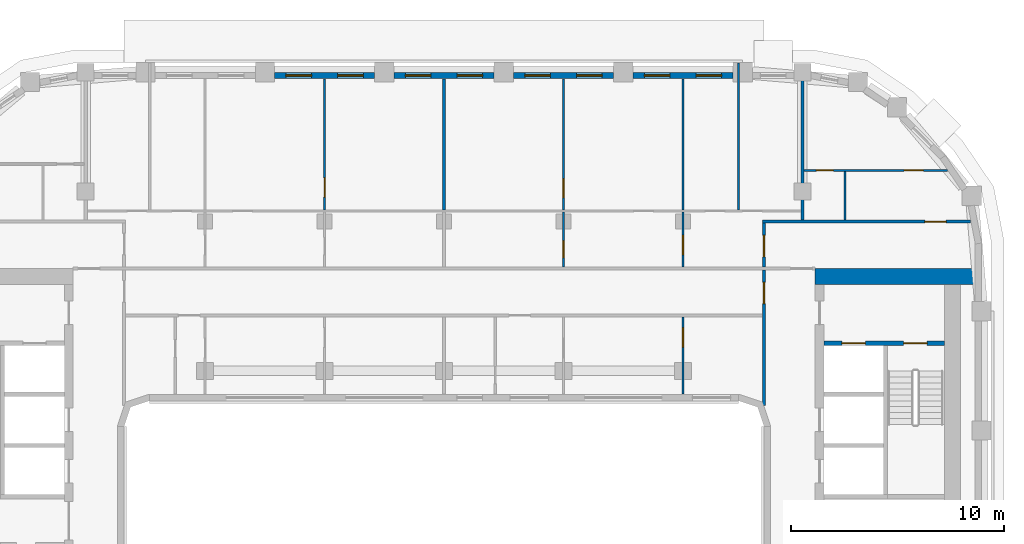
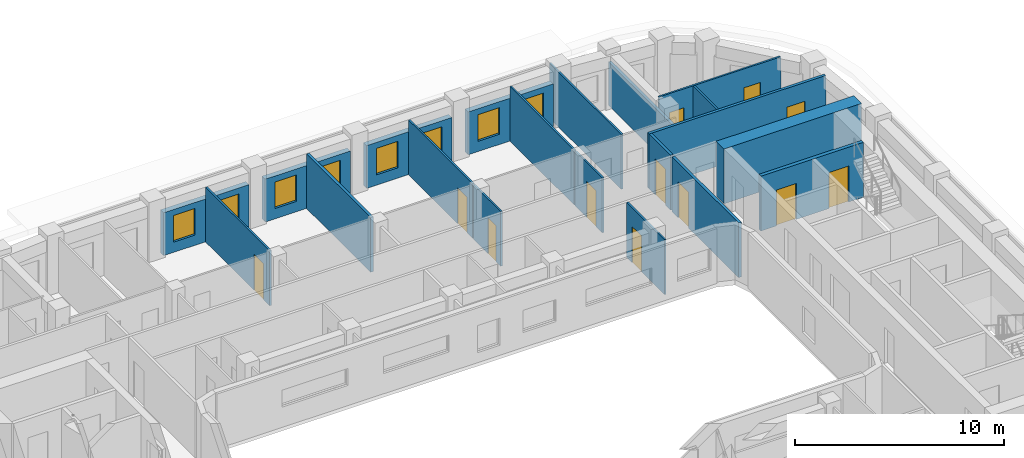
# One storey, part 8 of 21: 20 walls, 12 doors, 8 windows, 20 openings.
"""IFC4 building model written with IfcOpenShell, lengths in metres."""

from ifc_helpers import new_model, si_unit, direction, frame, frame_2d, origin, place, context, subcontext, project, spatial, rectangle, extrude, material, layer, layer_set, type_object, element, fill, save


model = new_model("IFC4")

# Units and contexts
model_context = context("Model", 3, precision=1e-05, world=origin(), true_north=direction((0.0, 1.0)))
body_context = subcontext(model_context, "Body", "Model", "MODEL_VIEW")
ifc_project = project(units=[si_unit("LENGTHUNIT", "METRE"), si_unit("AREAUNIT", "SQUARE_METRE"), si_unit("VOLUMEUNIT", "CUBIC_METRE"), si_unit("PLANEANGLEUNIT", "RADIAN"), si_unit("MASSUNIT", "GRAM", prefix="KILO")], contexts=[model_context])

# Site, building, storey
site_placement = place(None, origin())
site = spatial("IfcSite", under=ifc_project, at=site_placement, CompositionType="ELEMENT")
building_placement = place(site_placement, origin())
building = spatial("IfcBuilding", under=site, at=building_placement, Name="Kiln Ring Residences", CompositionType="ELEMENT")
storey_placement = place(building_placement, frame((0.0, 0.0, 202.89990234375)))
storey = spatial("IfcBuildingStorey", under=building, at=storey_placement, Name="L52", CompositionType="ELEMENT", Elevation=202.89990234375)

# Wall, openings, doors
ifc_material_1 = material(Name="Concrete C40/50", Category="concrete")
ifc_layer_1 = layer(ifc_material_1, 0.199951171875)
ifc_layer_set_1 = layer_set([ifc_layer_1], Name="CORE-WALL-RC200")
wall_type_1 = type_object("IfcWallType", Name="CORE-WALL-RC200", PredefinedType="SHEAR", material=ifc_layer_set_1)
wall_1_placement = place(storey_placement, frame((17.800048828125, 9.699951171875, 0.0), z_axis=(0.0, 0.0, 1.0), x_axis=(1.0, 0.0, 0.0)))
wall_1 = element("IfcWall", 1, at=wall_1_placement, inside=storey, type_object=wall_type_1, Name="Core wall east L52 9", PredefinedType="SHEAR", context=body_context, shape_type="SweptSolid", body=[
    extrude(rectangle(XDim=5.64990234375, YDim=0.199951171875, at=frame_2d((2.824951171875, 0.0))), origin(), (0.0, 0.0, 1.0), 3.2001953125),
])
opening_1_placement = place(wall_1_placement, frame((0.85009765625, 0.0, 0.0)))
opening_1 = element("IfcOpeningElement", 2, at=opening_1_placement, cuts=wall_1, Name="Opening L52-CE06", PredefinedType="OPENING", context=body_context, shape_type="SweptSolid", body=[
    extrude(rectangle(XDim=1.10009765625, YDim=2.10009765625, at=frame_2d((0.550048828125, 1.050048828125))), frame((0.0, 0.10986328125, 0.0), z_axis=(0.0, -1.0, 0.0), x_axis=(1.0, 0.0, 0.0)), (0.0, 0.0, 1.0), 0.219970703125),
])
opening_2_placement = place(wall_1_placement, frame((3.75, 0.0, 0.0)))
opening_2 = element("IfcOpeningElement", 3, at=opening_2_placement, cuts=wall_1, Name="Opening L52-CE09", PredefinedType="OPENING", context=body_context, shape_type="SweptSolid", body=[
    extrude(rectangle(XDim=1.10009765625, YDim=2.10009765625, at=frame_2d((0.550048828125, 1.050048828125))), frame((0.0, 0.10986328125, 0.0), z_axis=(0.0, -1.0, 0.0), x_axis=(1.0, 0.0, 0.0)), (0.0, 0.0, 1.0), 0.219970703125),
])
ifc_material_2 = material(Name="Steel door leaf", Category="steel")
door_type_1 = type_object("IfcDoorType", Name="CORE-DOOR-LD", OperationType="DOUBLE_DOOR_SLIDING", PredefinedType="DOOR", material=ifc_material_2)
door_1_placement = place(opening_1_placement, origin())
door_1 = element("IfcDoor", 4, at=door_1_placement, inside=storey, type_object=door_type_1, Name="LD E-FF L52-CE06", OperationType="DOUBLE_DOOR_SLIDING", OverallHeight=2.10009765625, OverallWidth=1.10009765625, PredefinedType="DOOR", context=body_context, shape_type="SweptSolid", body=[
    extrude(rectangle(XDim=1.10009765625, YDim=2.10009765625, at=frame_2d((0.550048828125, 1.050048828125))), frame((0.0, 0.02490234375, 0.0), z_axis=(0.0, -1.0, 0.0), x_axis=(1.0, 0.0, 0.0)), (0.0, 0.0, 1.0), 0.050048828125),
])
fill(opening_1, door_1)
ifc_material_3 = material(Name="Steel door leaf", Category="steel")
door_type_2 = type_object("IfcDoorType", Name="CORE-DOOR-STAIR", OperationType="SINGLE_SWING_LEFT", PredefinedType="DOOR", material=ifc_material_3)
door_2_placement = place(opening_2_placement, origin())
door_2 = element("IfcDoor", 5, at=door_2_placement, inside=storey, type_object=door_type_2, Name="Stair E-STN L52-CE09", OperationType="SINGLE_SWING_RIGHT", OverallHeight=2.10009765625, OverallWidth=1.10009765625, PredefinedType="DOOR", context=body_context, shape_type="SweptSolid", body=[
    extrude(rectangle(XDim=1.10009765625, YDim=2.10009765625, at=frame_2d((0.550048828125, 1.050048828125))), frame((0.0, 0.02490234375, 0.0), z_axis=(0.0, -1.0, 0.0), x_axis=(1.0, 0.0, 0.0)), (0.0, 0.0, 1.0), 0.050048828125),
])
fill(opening_2, door_2)

# Wall
ifc_material_4 = material(Name="Concrete C60/75", Category="concrete")
ifc_layer_2 = layer(ifc_material_4, 0.75)
ifc_layer_set_2 = layer_set([ifc_layer_2], Name="CORE-WALL-RC750")
wall_type_2 = type_object("IfcWallType", Name="CORE-WALL-RC750", PredefinedType="SHEAR", material=ifc_layer_set_2)
wall_2_placement = place(storey_placement, frame((17.39990234375, 12.824951171875, 0.0), z_axis=(0.0, 0.0, 1.0), x_axis=(1.0, 0.0, 0.0)))
element("IfcWall", 6, at=wall_2_placement, inside=storey, type_object=wall_type_2, Name="Core wall east L52 4", PredefinedType="SHEAR", context=body_context, shape_type="SweptSolid", body=[
    extrude(rectangle(XDim=7.60009765625, YDim=0.75, at=frame_2d((3.800048828125, 0.0))), origin(), (0.0, 0.0, 1.0), 3.2001953125),
])

# Wall, openings, windows
ifc_material_5 = material(Name="Brick masonry, dark clay brick", Category="masonry")
ifc_layer_3 = layer(ifc_material_5, 0.300048828125)
ifc_layer_set_3 = layer_set([ifc_layer_3], Name="EW-300 BRICK WALL")
wall_type_3 = type_object("IfcWallType", Name="EW-300 BRICK WALL", PredefinedType="SOLIDWALL", material=ifc_layer_set_3)
wall_3_placement = place(storey_placement, frame((13.550048828125, 22.25, 0.0), z_axis=(0.0, 0.0, 1.0), x_axis=(-1.0, 0.0, 0.0)))
wall_3 = element("IfcWall", 7, at=wall_3_placement, inside=storey, type_object=wall_type_3, Name="Facade wall L52 28", PredefinedType="SOLIDWALL", context=body_context, shape_type="SweptSolid", body=[
    extrude(rectangle(XDim=4.699951171875, YDim=0.300048828125, at=frame_2d((2.35009765625, 0.0))), origin(), (0.0, 0.0, 1.0), 2.5),
])
opening_3_placement = place(wall_3_placement, frame((0.53759765625, 0.0, 0.60009765625)))
opening_3 = element("IfcOpeningElement", 8, at=opening_3_placement, cuts=wall_3, Name="Opening W1", PredefinedType="OPENING", context=body_context, shape_type="SweptSolid", body=[
    extrude(rectangle(XDim=1.199951171875, YDim=1.550048828125, at=frame_2d((0.60009765625, 0.77490234375))), frame((0.0, 0.159912109375, 0.0), z_axis=(0.0, -1.0, 0.0), x_axis=(1.0, 0.0, 0.0)), (0.0, 0.0, 1.0), 0.320068359375),
])
opening_4_placement = place(wall_3_placement, frame((2.96240234375, 0.0, 0.60009765625)))
opening_4 = element("IfcOpeningElement", 9, at=opening_4_placement, cuts=wall_3, Name="Opening W1", PredefinedType="OPENING", context=body_context, shape_type="SweptSolid", body=[
    extrude(rectangle(XDim=1.199951171875, YDim=1.550048828125, at=frame_2d((0.60009765625, 0.77490234375))), frame((0.0, 0.159912109375, 0.0), z_axis=(0.0, -1.0, 0.0), x_axis=(1.0, 0.0, 0.0)), (0.0, 0.0, 1.0), 0.320068359375),
])
ifc_material_6 = material(Name="Aluminium frame with double glazing", Category="aluminium")
window_type = type_object("IfcWindowType", Name="WINDOW 1200 x 1550", PartitioningType="SINGLE_PANEL", PredefinedType="WINDOW", material=ifc_material_6)
window_1_placement = place(opening_3_placement, origin())
window_1 = element("IfcWindow", 10, at=window_1_placement, inside=storey, type_object=window_type, Name="Window L52 20", OverallHeight=1.550048828125, OverallWidth=1.199951171875, PartitioningType="SINGLE_PANEL", PredefinedType="WINDOW", context=body_context, shape_type="SweptSolid", body=[
    extrude(rectangle(XDim=1.199951171875, YDim=1.550048828125, at=frame_2d((0.60009765625, 0.77490234375))), frame((0.0, 0.030029296875, 0.0), z_axis=(0.0, -1.0, 0.0), x_axis=(1.0, 0.0, 0.0)), (0.0, 0.0, 1.0), 0.06005859375),
])
fill(opening_3, window_1)
window_2_placement = place(opening_4_placement, origin())
window_2 = element("IfcWindow", 11, at=window_2_placement, inside=storey, type_object=window_type, Name="Window L52 21", OverallHeight=1.550048828125, OverallWidth=1.199951171875, PartitioningType="SINGLE_PANEL", PredefinedType="WINDOW", context=body_context, shape_type="SweptSolid", body=[
    extrude(rectangle(XDim=1.199951171875, YDim=1.550048828125, at=frame_2d((0.60009765625, 0.77490234375))), frame((0.0, 0.030029296875, 0.0), z_axis=(0.0, -1.0, 0.0), x_axis=(1.0, 0.0, 0.0)), (0.0, 0.0, 1.0), 0.06005859375),
])
fill(opening_4, window_2)

wall_4_placement = place(storey_placement, frame((7.949951171875, 22.25, 0.0), z_axis=(0.0, 0.0, 1.0), x_axis=(-1.0, 0.0, 0.0)))
wall_4 = element("IfcWall", 12, at=wall_4_placement, inside=storey, type_object=wall_type_3, Name="Facade wall L52 29", PredefinedType="SOLIDWALL", context=body_context, shape_type="SweptSolid", body=[
    extrude(rectangle(XDim=4.699951171875, YDim=0.300048828125, at=frame_2d((2.35009765625, 0.0))), origin(), (0.0, 0.0, 1.0), 2.5),
])
opening_5_placement = place(wall_4_placement, frame((0.53759765625, 0.0, 0.60009765625)))
opening_5 = element("IfcOpeningElement", 13, at=opening_5_placement, cuts=wall_4, Name="Opening W1", PredefinedType="OPENING", context=body_context, shape_type="SweptSolid", body=[
    extrude(rectangle(XDim=1.199951171875, YDim=1.550048828125, at=frame_2d((0.60009765625, 0.77490234375))), frame((0.0, 0.159912109375, 0.0), z_axis=(0.0, -1.0, 0.0), x_axis=(1.0, 0.0, 0.0)), (0.0, 0.0, 1.0), 0.320068359375),
])
opening_6_placement = place(wall_4_placement, frame((2.96240234375, 0.0, 0.60009765625)))
opening_6 = element("IfcOpeningElement", 14, at=opening_6_placement, cuts=wall_4, Name="Opening W1", PredefinedType="OPENING", context=body_context, shape_type="SweptSolid", body=[
    extrude(rectangle(XDim=1.199951171875, YDim=1.550048828125, at=frame_2d((0.60009765625, 0.77490234375))), frame((0.0, 0.159912109375, 0.0), z_axis=(0.0, -1.0, 0.0), x_axis=(1.0, 0.0, 0.0)), (0.0, 0.0, 1.0), 0.320068359375),
])
window_3_placement = place(opening_5_placement, origin())
window_3 = element("IfcWindow", 15, at=window_3_placement, inside=storey, type_object=window_type, Name="Window L52 22", OverallHeight=1.550048828125, OverallWidth=1.199951171875, PartitioningType="SINGLE_PANEL", PredefinedType="WINDOW", context=body_context, shape_type="SweptSolid", body=[
    extrude(rectangle(XDim=1.199951171875, YDim=1.550048828125, at=frame_2d((0.60009765625, 0.77490234375))), frame((0.0, 0.030029296875, 0.0), z_axis=(0.0, -1.0, 0.0), x_axis=(1.0, 0.0, 0.0)), (0.0, 0.0, 1.0), 0.06005859375),
])
fill(opening_5, window_3)
window_4_placement = place(opening_6_placement, origin())
window_4 = element("IfcWindow", 16, at=window_4_placement, inside=storey, type_object=window_type, Name="Window L52 23", OverallHeight=1.550048828125, OverallWidth=1.199951171875, PartitioningType="SINGLE_PANEL", PredefinedType="WINDOW", context=body_context, shape_type="SweptSolid", body=[
    extrude(rectangle(XDim=1.199951171875, YDim=1.550048828125, at=frame_2d((0.60009765625, 0.77490234375))), frame((0.0, 0.030029296875, 0.0), z_axis=(0.0, -1.0, 0.0), x_axis=(1.0, 0.0, 0.0)), (0.0, 0.0, 1.0), 0.06005859375),
])
fill(opening_6, window_4)

wall_5_placement = place(storey_placement, frame((2.35009765625, 22.25, 0.0), z_axis=(0.0, 0.0, 1.0), x_axis=(-1.0, 0.0, 0.0)))
wall_5 = element("IfcWall", 17, at=wall_5_placement, inside=storey, type_object=wall_type_3, Name="Facade wall L52 30", PredefinedType="SOLIDWALL", context=body_context, shape_type="SweptSolid", body=[
    extrude(rectangle(XDim=4.7001953125, YDim=0.300048828125, at=frame_2d((2.35009765625, 0.0))), origin(), (0.0, 0.0, 1.0), 2.5),
])
opening_7_placement = place(wall_5_placement, frame((0.53759765625, 0.0, 0.60009765625)))
opening_7 = element("IfcOpeningElement", 18, at=opening_7_placement, cuts=wall_5, Name="Opening W1", PredefinedType="OPENING", context=body_context, shape_type="SweptSolid", body=[
    extrude(rectangle(XDim=1.199951171875, YDim=1.550048828125, at=frame_2d((0.60009765625, 0.77490234375))), frame((0.0, 0.159912109375, 0.0), z_axis=(0.0, -1.0, 0.0), x_axis=(1.0, 0.0, 0.0)), (0.0, 0.0, 1.0), 0.320068359375),
])
opening_8_placement = place(wall_5_placement, frame((2.96240234375, 0.0, 0.60009765625)))
opening_8 = element("IfcOpeningElement", 19, at=opening_8_placement, cuts=wall_5, Name="Opening W1", PredefinedType="OPENING", context=body_context, shape_type="SweptSolid", body=[
    extrude(rectangle(XDim=1.199951171875, YDim=1.550048828125, at=frame_2d((0.60009765625, 0.77490234375))), frame((0.0, 0.159912109375, 0.0), z_axis=(0.0, -1.0, 0.0), x_axis=(1.0, 0.0, 0.0)), (0.0, 0.0, 1.0), 0.320068359375),
])
window_5_placement = place(opening_7_placement, origin())
window_5 = element("IfcWindow", 20, at=window_5_placement, inside=storey, type_object=window_type, Name="Window L52 24", OverallHeight=1.550048828125, OverallWidth=1.199951171875, PartitioningType="SINGLE_PANEL", PredefinedType="WINDOW", context=body_context, shape_type="SweptSolid", body=[
    extrude(rectangle(XDim=1.199951171875, YDim=1.550048828125, at=frame_2d((0.60009765625, 0.77490234375))), frame((0.0, 0.030029296875, 0.0), z_axis=(0.0, -1.0, 0.0), x_axis=(1.0, 0.0, 0.0)), (0.0, 0.0, 1.0), 0.06005859375),
])
fill(opening_7, window_5)
window_6_placement = place(opening_8_placement, origin())
window_6 = element("IfcWindow", 21, at=window_6_placement, inside=storey, type_object=window_type, Name="Window L52 25", OverallHeight=1.550048828125, OverallWidth=1.199951171875, PartitioningType="SINGLE_PANEL", PredefinedType="WINDOW", context=body_context, shape_type="SweptSolid", body=[
    extrude(rectangle(XDim=1.199951171875, YDim=1.550048828125, at=frame_2d((0.60009765625, 0.77490234375))), frame((0.0, 0.030029296875, 0.0), z_axis=(0.0, -1.0, 0.0), x_axis=(1.0, 0.0, 0.0)), (0.0, 0.0, 1.0), 0.06005859375),
])
fill(opening_8, window_6)

wall_6_placement = place(storey_placement, frame((-3.25, 22.25, 0.0), z_axis=(0.0, 0.0, 1.0), x_axis=(-1.0, 0.0, 0.0)))
wall_6 = element("IfcWall", 22, at=wall_6_placement, inside=storey, type_object=wall_type_3, Name="Facade wall L52 31", PredefinedType="SOLIDWALL", context=body_context, shape_type="SweptSolid", body=[
    extrude(rectangle(XDim=4.699951171875, YDim=0.300048828125, at=frame_2d((2.35009765625, 0.0))), origin(), (0.0, 0.0, 1.0), 2.5),
])
opening_9_placement = place(wall_6_placement, frame((0.53759765625, 0.0, 0.60009765625)))
opening_9 = element("IfcOpeningElement", 23, at=opening_9_placement, cuts=wall_6, Name="Opening W1", PredefinedType="OPENING", context=body_context, shape_type="SweptSolid", body=[
    extrude(rectangle(XDim=1.199951171875, YDim=1.550048828125, at=frame_2d((0.60009765625, 0.77490234375))), frame((0.0, 0.159912109375, 0.0), z_axis=(0.0, -1.0, 0.0), x_axis=(1.0, 0.0, 0.0)), (0.0, 0.0, 1.0), 0.320068359375),
])
opening_10_placement = place(wall_6_placement, frame((2.96240234375, 0.0, 0.60009765625)))
opening_10 = element("IfcOpeningElement", 24, at=opening_10_placement, cuts=wall_6, Name="Opening W1", PredefinedType="OPENING", context=body_context, shape_type="SweptSolid", body=[
    extrude(rectangle(XDim=1.199951171875, YDim=1.550048828125, at=frame_2d((0.60009765625, 0.77490234375))), frame((0.0, 0.159912109375, 0.0), z_axis=(0.0, -1.0, 0.0), x_axis=(1.0, 0.0, 0.0)), (0.0, 0.0, 1.0), 0.320068359375),
])
window_7_placement = place(opening_9_placement, origin())
window_7 = element("IfcWindow", 25, at=window_7_placement, inside=storey, type_object=window_type, Name="Window L52 26", OverallHeight=1.550048828125, OverallWidth=1.199951171875, PartitioningType="SINGLE_PANEL", PredefinedType="WINDOW", context=body_context, shape_type="SweptSolid", body=[
    extrude(rectangle(XDim=1.199951171875, YDim=1.550048828125, at=frame_2d((0.60009765625, 0.77490234375))), frame((0.0, 0.030029296875, 0.0), z_axis=(0.0, -1.0, 0.0), x_axis=(1.0, 0.0, 0.0)), (0.0, 0.0, 1.0), 0.06005859375),
])
fill(opening_9, window_7)
window_8_placement = place(opening_10_placement, origin())
window_8 = element("IfcWindow", 26, at=window_8_placement, inside=storey, type_object=window_type, Name="Window L52 27", OverallHeight=1.550048828125, OverallWidth=1.199951171875, PartitioningType="SINGLE_PANEL", PredefinedType="WINDOW", context=body_context, shape_type="SweptSolid", body=[
    extrude(rectangle(XDim=1.199951171875, YDim=1.550048828125, at=frame_2d((0.60009765625, 0.77490234375))), frame((0.0, 0.030029296875, 0.0), z_axis=(0.0, -1.0, 0.0), x_axis=(1.0, 0.0, 0.0)), (0.0, 0.0, 1.0), 0.06005859375),
])
fill(opening_10, window_8)

# Wall, openings, doors
ifc_material_7 = material(Name="Gypsum board on steel studs", Category="steel")
ifc_layer_4 = layer(ifc_material_7, 0.10009765625)
ifc_layer_set_4 = layer_set([ifc_layer_4], Name="PARTITION-100")
wall_type_4 = type_object("IfcWallType", Name="PARTITION-100", PredefinedType="PARTITIONING", material=ifc_layer_set_4)
wall_7_placement = place(storey_placement, frame((16.875, 17.800048828125, 0.0), z_axis=(0.0, 0.0, 1.0), x_axis=(1.0, 0.0, 0.0)))
wall_7 = element("IfcWall", 27, at=wall_7_placement, inside=storey, type_object=wall_type_4, Name="Partition 012", PredefinedType="PARTITIONING", context=body_context, shape_type="SweptSolid", body=[
    extrude(rectangle(XDim=6.718994140625, YDim=0.10009765625, at=frame_2d((3.359375, 0.0))), origin(), (0.0, 0.0, 1.0), 3.2001953125),
])
opening_11_placement = place(wall_7_placement, frame((0.574951171875, 0.0, 0.0)))
opening_11 = element("IfcOpeningElement", 28, at=opening_11_placement, cuts=wall_7, Name="Opening L52-D032", PredefinedType="OPENING", context=body_context, shape_type="SweptSolid", body=[
    extrude(rectangle(XDim=0.800048828125, YDim=2.10009765625, at=frame_2d((0.39990234375, 1.050048828125))), frame((0.0, 0.06005859375, 0.0), z_axis=(0.0, -1.0, 0.0), x_axis=(1.0, 0.0, 0.0)), (0.0, 0.0, 1.0), 0.1201171875),
])
opening_12_placement = place(wall_7_placement, frame((4.693115234375, 0.0, 0.0)))
opening_12 = element("IfcOpeningElement", 29, at=opening_12_placement, cuts=wall_7, Name="Opening L52-D033", PredefinedType="OPENING", context=body_context, shape_type="SweptSolid", body=[
    extrude(rectangle(XDim=0.89990234375, YDim=2.10009765625, at=frame_2d((0.449951171875, 1.050048828125))), frame((0.0, 0.06005859375, 0.0), z_axis=(0.0, -1.0, 0.0), x_axis=(1.0, 0.0, 0.0)), (0.0, 0.0, 1.0), 0.1201171875),
])
ifc_material_8 = material(Name="Timber door leaf", Category="wood")
door_type_3 = type_object("IfcDoorType", Name="FLAT-DOOR-800-PL", OperationType="SINGLE_SWING_LEFT", PredefinedType="DOOR", material=ifc_material_8)
door_3_placement = place(opening_11_placement, origin())
door_3 = element("IfcDoor", 30, at=door_3_placement, inside=storey, type_object=door_type_3, Name="Door L52-D032", OperationType="SINGLE_SWING_RIGHT", OverallHeight=2.10009765625, OverallWidth=0.800048828125, PredefinedType="DOOR", context=body_context, shape_type="SweptSolid", body=[
    extrude(rectangle(XDim=0.800048828125, YDim=2.10009765625, at=frame_2d((0.39990234375, 1.050048828125))), frame((0.0, 0.02490234375, 0.0), z_axis=(0.0, -1.0, 0.0), x_axis=(1.0, 0.0, 0.0)), (0.0, 0.0, 1.0), 0.050048828125),
])
fill(opening_11, door_3)
ifc_material_9 = material(Name="Timber door leaf", Category="wood")
door_type_4 = type_object("IfcDoorType", Name="FLAT-DOOR-900-PL", OperationType="SINGLE_SWING_LEFT", PredefinedType="DOOR", material=ifc_material_9)
door_4_placement = place(opening_12_placement, origin())
door_4 = element("IfcDoor", 31, at=door_4_placement, inside=storey, type_object=door_type_4, Name="Door L52-D033", OperationType="SINGLE_SWING_LEFT", OverallHeight=2.10009765625, OverallWidth=0.89990234375, PredefinedType="DOOR", context=body_context, shape_type="SweptSolid", body=[
    extrude(rectangle(XDim=0.89990234375, YDim=2.10009765625, at=frame_2d((0.449951171875, 1.050048828125))), frame((0.0, 0.02490234375, 0.0), z_axis=(0.0, -1.0, 0.0), x_axis=(1.0, 0.0, 0.0)), (0.0, 0.0, 1.0), 0.050048828125),
])
fill(opening_12, door_4)

# Wall, opening, door
wall_8_placement = place(storey_placement, frame((-5.60009765625, 15.949951171875, 0.0), z_axis=(0.0, 0.0, 1.0), x_axis=(0.0, 1.0, 0.0)))
wall_8 = element("IfcWall", 32, at=wall_8_placement, inside=storey, type_object=wall_type_4, Name="Partition 036", PredefinedType="PARTITIONING", context=body_context, shape_type="SweptSolid", body=[
    extrude(rectangle(XDim=6.130126953125, YDim=0.10009765625, at=frame_2d((3.06494140625, 0.0))), origin(), (0.0, 0.0, 1.0), 3.2001953125),
])
opening_13_placement = place(wall_8_placement, frame((0.60009765625, 0.0, 0.0)))
opening_13 = element("IfcOpeningElement", 33, at=opening_13_placement, cuts=wall_8, Name="Opening L52-D023", PredefinedType="OPENING", context=body_context, shape_type="SweptSolid", body=[
    extrude(rectangle(XDim=0.89990234375, YDim=2.10009765625, at=frame_2d((0.449951171875, 1.050048828125))), frame((0.0, 0.06005859375, 0.0), z_axis=(0.0, -1.0, 0.0), x_axis=(1.0, 0.0, 0.0)), (0.0, 0.0, 1.0), 0.1201171875),
])
door_5_placement = place(opening_13_placement, origin())
door_5 = element("IfcDoor", 34, at=door_5_placement, inside=storey, type_object=door_type_4, Name="Door L52-D023", OperationType="SINGLE_SWING_LEFT", OverallHeight=2.10009765625, OverallWidth=0.89990234375, PredefinedType="DOOR", context=body_context, shape_type="SweptSolid", body=[
    extrude(rectangle(XDim=0.89990234375, YDim=2.10009765625, at=frame_2d((0.449951171875, 1.050048828125))), frame((0.0, 0.02490234375, 0.0), z_axis=(0.0, -1.0, 0.0), x_axis=(1.0, 0.0, 0.0)), (0.0, 0.0, 1.0), 0.050048828125),
])
fill(opening_13, door_5)

wall_9_placement = place(storey_placement, frame((5.60009765625, 13.27490234375, 0.0), z_axis=(0.0, 0.0, 1.0), x_axis=(0.0, 1.0, 0.0)))
wall_9 = element("IfcWall", 35, at=wall_9_placement, inside=storey, type_object=wall_type_4, Name="Partition 048", PredefinedType="PARTITIONING", context=body_context, shape_type="SweptSolid", body=[
    extrude(rectangle(XDim=2.5751953125, YDim=0.10009765625, at=frame_2d((1.28759765625, 0.0))), origin(), (0.0, 0.0, 1.0), 3.2001953125),
])
opening_14_placement = place(wall_9_placement, frame((0.425048828125, 0.0, 0.0)))
opening_14 = element("IfcOpeningElement", 36, at=opening_14_placement, cuts=wall_9, Name="Opening L52-D026", PredefinedType="OPENING", context=body_context, shape_type="SweptSolid", body=[
    extrude(rectangle(XDim=0.800048828125, YDim=2.10009765625, at=frame_2d((0.39990234375, 1.050048828125))), frame((0.0, 0.06005859375, 0.0), z_axis=(0.0, -1.0, 0.0), x_axis=(1.0, 0.0, 0.0)), (0.0, 0.0, 1.0), 0.1201171875),
])
door_6_placement = place(opening_14_placement, origin())
door_6 = element("IfcDoor", 37, at=door_6_placement, inside=storey, type_object=door_type_3, Name="Door L52-D026", OperationType="SINGLE_SWING_RIGHT", OverallHeight=2.10009765625, OverallWidth=0.800048828125, PredefinedType="DOOR", context=body_context, shape_type="SweptSolid", body=[
    extrude(rectangle(XDim=0.800048828125, YDim=2.10009765625, at=frame_2d((0.39990234375, 1.050048828125))), frame((0.0, 0.02490234375, 0.0), z_axis=(0.0, -1.0, 0.0), x_axis=(1.0, 0.0, 0.0)), (0.0, 0.0, 1.0), 0.050048828125),
])
fill(opening_14, door_6)

wall_10_placement = place(storey_placement, frame((5.60009765625, 15.949951171875, 0.0), z_axis=(0.0, 0.0, 1.0), x_axis=(0.0, 1.0, 0.0)))
wall_10 = element("IfcWall", 38, at=wall_10_placement, inside=storey, type_object=wall_type_4, Name="Partition 049", PredefinedType="PARTITIONING", context=body_context, shape_type="SweptSolid", body=[
    extrude(rectangle(XDim=6.130126953125, YDim=0.10009765625, at=frame_2d((3.06494140625, 0.0))), origin(), (0.0, 0.0, 1.0), 3.2001953125),
])
opening_15_placement = place(wall_10_placement, frame((0.56005859375, 0.0, 0.0)))
opening_15 = element("IfcOpeningElement", 39, at=opening_15_placement, cuts=wall_10, Name="Opening L52-D030", PredefinedType="OPENING", context=body_context, shape_type="SweptSolid", body=[
    extrude(rectangle(XDim=0.89990234375, YDim=2.10009765625, at=frame_2d((0.449951171875, 1.050048828125))), frame((0.0, 0.06005859375, 0.0), z_axis=(0.0, -1.0, 0.0), x_axis=(1.0, 0.0, 0.0)), (0.0, 0.0, 1.0), 0.1201171875),
])
door_7_placement = place(opening_15_placement, origin())
door_7 = element("IfcDoor", 40, at=door_7_placement, inside=storey, type_object=door_type_4, Name="Door L52-D030", OperationType="SINGLE_SWING_RIGHT", OverallHeight=2.10009765625, OverallWidth=0.89990234375, PredefinedType="DOOR", context=body_context, shape_type="SweptSolid", body=[
    extrude(rectangle(XDim=0.89990234375, YDim=2.10009765625, at=frame_2d((0.449951171875, 1.050048828125))), frame((0.0, 0.02490234375, 0.0), z_axis=(0.0, -1.0, 0.0), x_axis=(1.0, 0.0, 0.0)), (0.0, 0.0, 1.0), 0.050048828125),
])
fill(opening_15, door_7)

wall_11_placement = place(storey_placement, frame((11.199951171875, 7.320068359375, 0.0), z_axis=(0.0, 0.0, 1.0), x_axis=(0.0, 1.0, 0.0)))
wall_11 = element("IfcWall", 41, at=wall_11_placement, inside=storey, type_object=wall_type_4, Name="Partition 053", PredefinedType="PARTITIONING", context=body_context, shape_type="SweptSolid", body=[
    extrude(rectangle(XDim=3.60498046875, YDim=0.10009765625, at=frame_2d((1.802490234375, 0.0))), origin(), (0.0, 0.0, 1.0), 3.2001953125),
])
opening_16_placement = place(wall_11_placement, frame((2.199951171875, 0.0, 0.0)))
opening_16 = element("IfcOpeningElement", 42, at=opening_16_placement, cuts=wall_11, Name="Opening L52-D016", PredefinedType="OPENING", context=body_context, shape_type="SweptSolid", body=[
    extrude(rectangle(XDim=0.89990234375, YDim=2.10009765625, at=frame_2d((0.449951171875, 1.050048828125))), frame((0.0, 0.06005859375, 0.0), z_axis=(0.0, -1.0, 0.0), x_axis=(1.0, 0.0, 0.0)), (0.0, 0.0, 1.0), 0.1201171875),
])
door_8_placement = place(opening_16_placement, origin())
door_8 = element("IfcDoor", 43, at=door_8_placement, inside=storey, type_object=door_type_4, Name="Door L52-D016", OperationType="SINGLE_SWING_RIGHT", OverallHeight=2.10009765625, OverallWidth=0.89990234375, PredefinedType="DOOR", context=body_context, shape_type="SweptSolid", body=[
    extrude(rectangle(XDim=0.89990234375, YDim=2.10009765625, at=frame_2d((0.449951171875, 1.050048828125))), frame((0.0, 0.02490234375, 0.0), z_axis=(0.0, -1.0, 0.0), x_axis=(1.0, 0.0, 0.0)), (0.0, 0.0, 1.0), 0.050048828125),
])
fill(opening_16, door_8)

wall_12_placement = place(storey_placement, frame((11.199951171875, 13.27490234375, 0.0), z_axis=(0.0, 0.0, 1.0), x_axis=(0.0, 1.0, 0.0)))
wall_12 = element("IfcWall", 44, at=wall_12_placement, inside=storey, type_object=wall_type_4, Name="Partition 054", PredefinedType="PARTITIONING", context=body_context, shape_type="SweptSolid", body=[
    extrude(rectangle(XDim=2.5751953125, YDim=0.10009765625, at=frame_2d((1.28759765625, 0.0))), origin(), (0.0, 0.0, 1.0), 3.2001953125),
])
opening_17_placement = place(wall_12_placement, frame((0.574951171875, 0.0, 0.0)))
opening_17 = element("IfcOpeningElement", 45, at=opening_17_placement, cuts=wall_12, Name="Opening L52-D025", PredefinedType="OPENING", context=body_context, shape_type="SweptSolid", body=[
    extrude(rectangle(XDim=0.89990234375, YDim=2.10009765625, at=frame_2d((0.449951171875, 1.050048828125))), frame((0.0, 0.06005859375, 0.0), z_axis=(0.0, -1.0, 0.0), x_axis=(1.0, 0.0, 0.0)), (0.0, 0.0, 1.0), 0.1201171875),
])
door_9_placement = place(opening_17_placement, origin())
door_9 = element("IfcDoor", 46, at=door_9_placement, inside=storey, type_object=door_type_4, Name="Door L52-D025", OperationType="SINGLE_SWING_RIGHT", OverallHeight=2.10009765625, OverallWidth=0.89990234375, PredefinedType="DOOR", context=body_context, shape_type="SweptSolid", body=[
    extrude(rectangle(XDim=0.89990234375, YDim=2.10009765625, at=frame_2d((0.449951171875, 1.050048828125))), frame((0.0, 0.02490234375, 0.0), z_axis=(0.0, -1.0, 0.0), x_axis=(1.0, 0.0, 0.0)), (0.0, 0.0, 1.0), 0.050048828125),
])
fill(opening_17, door_9)

# Walls
wall_13_placement = place(storey_placement, frame((11.199951171875, 15.949951171875, 0.0), z_axis=(0.0, 0.0, 1.0), x_axis=(0.0, 1.0, 0.0)))
element("IfcWall", 47, at=wall_13_placement, inside=storey, type_object=wall_type_4, Name="Partition 055", PredefinedType="PARTITIONING", context=body_context, shape_type="SweptSolid", body=[
    extrude(rectangle(XDim=6.130126953125, YDim=0.10009765625, at=frame_2d((3.06494140625, 0.0))), origin(), (0.0, 0.0, 1.0), 3.2001953125),
])
wall_14_placement = place(storey_placement, frame((13.800048828125, 15.949951171875, 0.0), z_axis=(0.0, 0.0, 1.0), x_axis=(0.0, 1.0, 0.0)))
element("IfcWall", 48, at=wall_14_placement, inside=storey, type_object=wall_type_4, Name="Partition 057", PredefinedType="PARTITIONING", context=body_context, shape_type="SweptSolid", body=[
    extrude(rectangle(XDim=6.880126953125, YDim=0.10009765625, at=frame_2d((3.43994140625, 0.0))), origin(), (0.0, 0.0, 1.0), 3.2001953125),
])
wall_15_placement = place(storey_placement, frame((18.800048828125, 15.47509765625, 0.0), z_axis=(0.0, 0.0, 1.0), x_axis=(0.0, 1.0, 0.0)))
element("IfcWall", 49, at=wall_15_placement, inside=storey, type_object=wall_type_4, Name="Partition 065", PredefinedType="PARTITIONING", context=body_context, shape_type="SweptSolid", body=[
    extrude(rectangle(XDim=2.27490234375, YDim=0.10009765625, at=frame_2d((1.137451171875, 0.0))), origin(), (0.0, 0.0, 1.0), 3.2001953125),
])

# Wall, opening, door
ifc_material_10 = material(Name="Brick masonry partition", Category="masonry")
ifc_layer_5 = layer(ifc_material_10, 0.14990234375)
ifc_layer_set_5 = layer_set([ifc_layer_5], Name="PARTITION-150-ei60")
wall_type_5 = type_object("IfcWallType", Name="PARTITION-150-ei60", PredefinedType="PARTITIONING", material=ifc_layer_set_5)
wall_16_placement = place(storey_placement, frame((14.925048828125, 15.39990234375, 0.0), z_axis=(0.0, 0.0, 1.0), x_axis=(1.0, 0.0, 0.0)))
wall_16 = element("IfcWall", 50, at=wall_16_placement, inside=storey, type_object=wall_type_5, Name="Partition 010", PredefinedType="PARTITIONING", context=body_context, shape_type="SweptSolid", body=[
    extrude(rectangle(XDim=9.7587890625, YDim=0.14990234375, at=frame_2d((4.87939453125, 0.0))), origin(), (0.0, 0.0, 1.0), 3.2001953125),
])
opening_18_placement = place(wall_16_placement, frame((7.615966796875, 0.0, 0.0)))
opening_18 = element("IfcOpeningElement", 51, at=opening_18_placement, cuts=wall_16, Name="Opening L52-D031", PredefinedType="OPENING", context=body_context, shape_type="SweptSolid", body=[
    extrude(rectangle(XDim=1.0, YDim=2.10009765625, at=frame_2d((0.5, 1.050048828125))), frame((0.0, 0.0849609375, 0.0), z_axis=(0.0, -1.0, 0.0), x_axis=(1.0, 0.0, 0.0)), (0.0, 0.0, 1.0), 0.169921875),
])
ifc_material_11 = material(Name="Steel faced fire door leaf", Category="steel")
door_type_5 = type_object("IfcDoorType", Name="FLAT-DOOR-1000-FR", OperationType="SINGLE_SWING_LEFT", PredefinedType="DOOR", material=ifc_material_11)
door_10_placement = place(opening_18_placement, origin())
door_10 = element("IfcDoor", 52, at=door_10_placement, inside=storey, type_object=door_type_5, Name="Door L52-D031", OperationType="SINGLE_SWING_LEFT", OverallHeight=2.10009765625, OverallWidth=1.0, PredefinedType="DOOR", context=body_context, shape_type="SweptSolid", body=[
    extrude(rectangle(XDim=1.0, YDim=2.10009765625, at=frame_2d((0.5, 1.050048828125))), frame((0.0, 0.02490234375, 0.0), z_axis=(0.0, -1.0, 0.0), x_axis=(1.0, 0.0, 0.0)), (0.0, 0.0, 1.0), 0.050048828125),
])
fill(opening_18, door_10)

# Wall
wall_17_placement = place(storey_placement, frame((0.0, 15.949951171875, 0.0), z_axis=(0.0, 0.0, 1.0), x_axis=(0.0, 1.0, 0.0)))
element("IfcWall", 53, at=wall_17_placement, inside=storey, type_object=wall_type_5, Name="Partition 042", PredefinedType="PARTITIONING", context=body_context, shape_type="SweptSolid", body=[
    extrude(rectangle(XDim=6.130126953125, YDim=0.14990234375, at=frame_2d((3.06494140625, 0.0))), origin(), (0.0, 0.0, 1.0), 3.2001953125),
])

# Wall, opening, door
wall_18_placement = place(storey_placement, frame((15.0, 6.768798828125, 0.0), z_axis=(0.0, 0.0, 1.0), x_axis=(0.0, 1.0, 0.0)))
wall_18 = element("IfcWall", 54, at=wall_18_placement, inside=storey, type_object=wall_type_5, Name="Partition 060", PredefinedType="PARTITIONING", context=body_context, shape_type="SweptSolid", body=[
    extrude(rectangle(XDim=6.356201171875, YDim=0.14990234375, at=frame_2d((3.17822265625, 0.0))), origin(), (0.0, 0.0, 1.0), 3.2001953125),
])
opening_19_placement = place(wall_18_placement, frame((4.78125, 0.0, 0.0)))
opening_19 = element("IfcOpeningElement", 55, at=opening_19_placement, cuts=wall_18, Name="Opening L52-D002", PredefinedType="OPENING", context=body_context, shape_type="SweptSolid", body=[
    extrude(rectangle(XDim=1.0, YDim=2.10009765625, at=frame_2d((0.5, 1.050048828125))), frame((0.0, 0.0849609375, 0.0), z_axis=(0.0, -1.0, 0.0), x_axis=(1.0, 0.0, 0.0)), (0.0, 0.0, 1.0), 0.169921875),
])
door_11_placement = place(opening_19_placement, origin())
door_11 = element("IfcDoor", 56, at=door_11_placement, inside=storey, type_object=door_type_5, Name="Door L52-D002", OperationType="SINGLE_SWING_LEFT", OverallHeight=2.10009765625, OverallWidth=1.0, PredefinedType="DOOR", context=body_context, shape_type="SweptSolid", body=[
    extrude(rectangle(XDim=1.0, YDim=2.10009765625, at=frame_2d((0.5, 1.050048828125))), frame((0.0, 0.02490234375, 0.0), z_axis=(0.0, -1.0, 0.0), x_axis=(1.0, 0.0, 0.0)), (0.0, 0.0, 1.0), 0.050048828125),
])
fill(opening_19, door_11)

wall_19_placement = place(storey_placement, frame((15.0, 13.27490234375, 0.0), z_axis=(0.0, 0.0, 1.0), x_axis=(0.0, 1.0, 0.0)))
wall_19 = element("IfcWall", 57, at=wall_19_placement, inside=storey, type_object=wall_type_5, Name="Partition 061", PredefinedType="PARTITIONING", context=body_context, shape_type="SweptSolid", body=[
    extrude(rectangle(XDim=2.050048828125, YDim=0.14990234375, at=frame_2d((1.02490234375, 0.0))), origin(), (0.0, 0.0, 1.0), 3.2001953125),
])
opening_20_placement = place(wall_19_placement, frame((0.47607421875, 0.0, 0.0)))
opening_20 = element("IfcOpeningElement", 58, at=opening_20_placement, cuts=wall_19, Name="Opening L52-D024", PredefinedType="OPENING", context=body_context, shape_type="SweptSolid", body=[
    extrude(rectangle(XDim=1.0, YDim=2.10009765625, at=frame_2d((0.5, 1.050048828125))), frame((0.0, 0.0849609375, 0.0), z_axis=(0.0, -1.0, 0.0), x_axis=(1.0, 0.0, 0.0)), (0.0, 0.0, 1.0), 0.169921875),
])
door_12_placement = place(opening_20_placement, origin())
door_12 = element("IfcDoor", 59, at=door_12_placement, inside=storey, type_object=door_type_5, Name="Door L52-D024", OperationType="SINGLE_SWING_RIGHT", OverallHeight=2.10009765625, OverallWidth=1.0, PredefinedType="DOOR", context=body_context, shape_type="SweptSolid", body=[
    extrude(rectangle(XDim=1.0, YDim=2.10009765625, at=frame_2d((0.5, 1.050048828125))), frame((0.0, 0.02490234375, 0.0), z_axis=(0.0, -1.0, 0.0), x_axis=(1.0, 0.0, 0.0)), (0.0, 0.0, 1.0), 0.050048828125),
])
fill(opening_20, door_12)

# Wall
wall_20_placement = place(storey_placement, frame((16.800048828125, 15.47509765625, 0.0), z_axis=(0.0, 0.0, 1.0), x_axis=(0.0, 1.0, 0.0)))
element("IfcWall", 60, at=wall_20_placement, inside=storey, type_object=wall_type_5, Name="Partition 063", PredefinedType="PARTITIONING", context=body_context, shape_type="SweptSolid", body=[
    extrude(rectangle(XDim=6.8349609375, YDim=0.14990234375, at=frame_2d((3.41748046875, 0.0))), origin(), (0.0, 0.0, 1.0), 2.550048828125),
])

save(model, "model.ifc")
